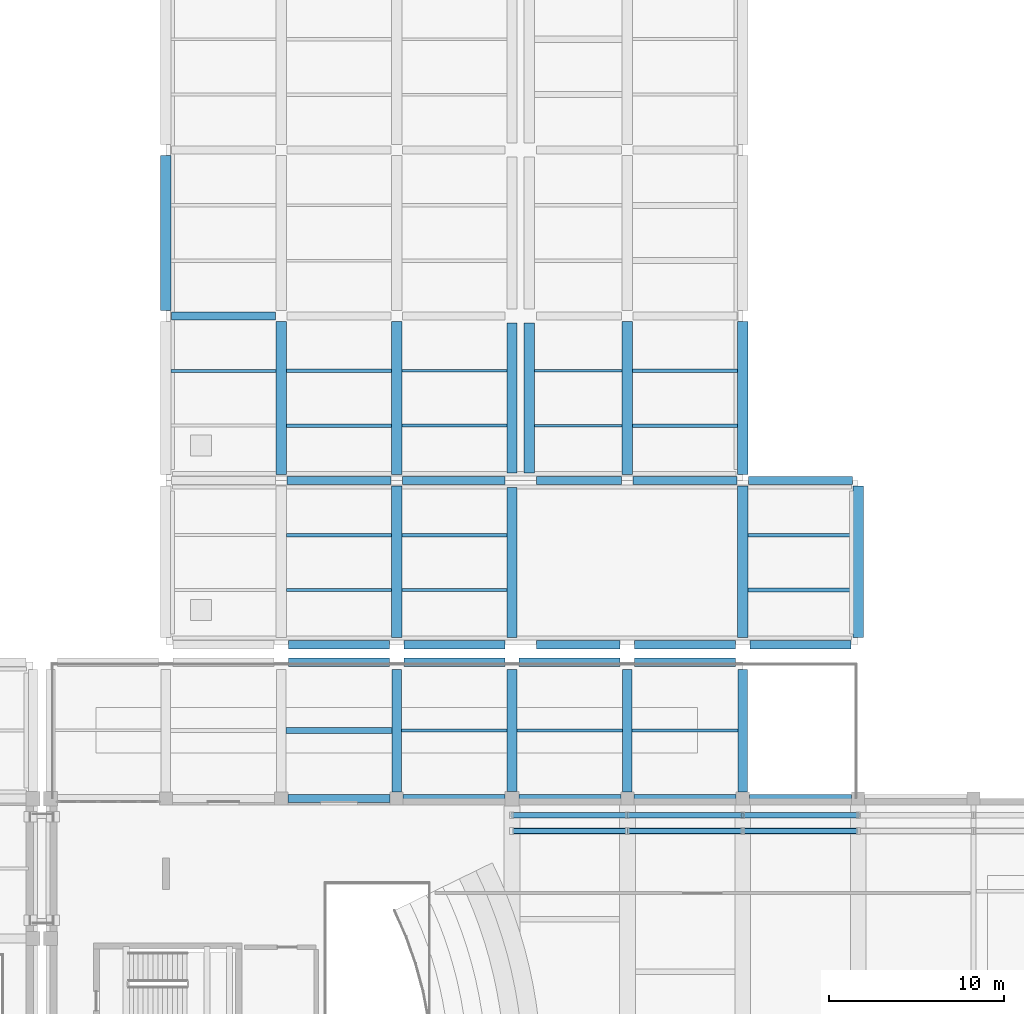
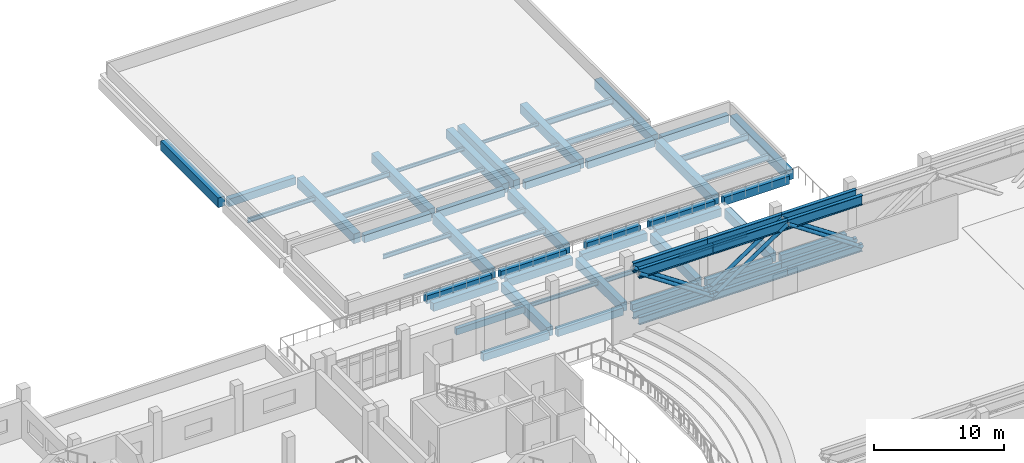
# One storey, part 21 of 54: 54 beams, 18 members.
"""IFC4 building model written with IfcOpenShell, lengths in metres."""

from ifc_helpers import new_model, si_unit, direction, frame, origin, origin_2d, place, context, subcontext, project, spatial, rectangle, hollow_circle, i_section, extrude, material, material_profile, profile_set, type_object, element, save


model = new_model("IFC4")

# Units and contexts
model_context = context("Model", 3, precision=1e-05, world=origin(), true_north=direction((0.0, 1.0)))
body_context = subcontext(model_context, "Body", "Model", "MODEL_VIEW")
ifc_project = project(units=[si_unit("LENGTHUNIT", "METRE"), si_unit("AREAUNIT", "SQUARE_METRE"), si_unit("VOLUMEUNIT", "CUBIC_METRE"), si_unit("PLANEANGLEUNIT", "RADIAN"), si_unit("MASSUNIT", "GRAM", prefix="KILO")], contexts=[model_context])

# Site, building, storey
site_placement = place(None, origin())
site = spatial("IfcSite", under=ifc_project, at=site_placement, CompositionType="ELEMENT")
building_placement = place(site_placement, origin())
building = spatial("IfcBuilding", under=site, at=building_placement, Name="Kelarvand Opera House", CompositionType="ELEMENT")
storey_placement = place(building_placement, frame((0.0, 0.0, 15.0)))
storey = spatial("IfcBuildingStorey", under=building, at=storey_placement, Name="L03", CompositionType="ELEMENT", Elevation=15.0)

# Beams
ifc_material_1 = material(Name="Concrete C35/45", Category="concrete")
ifc_material_profile_1 = material_profile(ifc_material_1, rectangle(XDim=0.35009765625, YDim=0.60009765625, at=origin_2d()), Name="RC 350x600", Category="concrete")
ifc_profile_set_1 = profile_set([ifc_material_profile_1], Name="Concrete C35/45")
beam_type_1 = type_object("IfcBeamType", Name="Structural Beam RC 350x600 BM-RC350x600", PredefinedType="BEAM", material=ifc_profile_set_1)
beam_1_placement = place(storey_placement, frame((102.47509765625, 82.300048828125, -0.6201171875), z_axis=(1.0, 0.0, 0.0), x_axis=(0.0, 1.0, 0.0)))
element("IfcBeam", 1, at=beam_1_placement, inside=storey, type_object=beam_type_1, Name="V1 L03 Beam BM-RC350x600", PredefinedType="BEAM", context=body_context, shape_type="SweptSolid", body=[
    extrude(rectangle(XDim=0.35009765625, YDim=0.60009765625, at=origin_2d()), origin(), (0.0, 0.0, 1.0), 6.0498046875),
])
ifc_material_2 = material(Name="Concrete C40/50", Category="concrete")
ifc_material_profile_2 = material_profile(ifc_material_2, rectangle(XDim=0.449951171875, YDim=0.699951171875, at=origin_2d()), Name="RC 450x700", Category="concrete")
ifc_profile_set_2 = profile_set([ifc_material_profile_2], Name="Concrete C40/50")
beam_type_2 = type_object("IfcBeamType", Name="Structural Beam RC 450x700 BM-RC450x700", PredefinedType="BEAM", material=ifc_profile_set_2)
beam_2_placement = place(storey_placement, frame((102.574951171875, 78.39990234375, -0.669921875), z_axis=(1.0, 0.0, 0.0), x_axis=(0.0, 1.0, 0.0)))
element("IfcBeam", 2, at=beam_2_placement, inside=storey, type_object=beam_type_2, Name="V1 L03 Beam BM-RC450x700", PredefinedType="BEAM", context=body_context, shape_type="SweptSolid", body=[
    extrude(rectangle(XDim=0.449951171875, YDim=0.699951171875, at=origin_2d()), origin(), (0.0, 0.0, 1.0), 5.85009765625),
])
for number, where, z_axis, x_axis, name in (
    (3, (109.175048828125, 78.39990234375, -0.669921875), (1.0, 0.0, 0.0), (0.0, 1.0, 0.0), "V1 L03 Beam BM-RC450x700"),
    (4, (115.81005859375, 78.39990234375, -0.669921875), (1.0, 0.0, 0.0), (0.0, 1.0, 0.0), "V1 L03 Beam BM-RC450x700"),
):
    element("IfcBeam", number, at=place(storey_placement, frame(where, z_axis=z_axis, x_axis=x_axis)), inside=storey, type_object=beam_type_2, Name=name, PredefinedType="BEAM", context=body_context, shape_type="SweptSolid", body=[
        extrude(rectangle(XDim=0.449951171875, YDim=0.699951171875, at=origin_2d()), origin(), (0.0, 0.0, 1.0), 5.81494140625),
    ])
beam_3_placement = place(storey_placement, frame((122.375, 78.39990234375, -0.669921875), z_axis=(1.0, 0.0, 0.0), x_axis=(0.0, 1.0, 0.0)))
element("IfcBeam", 5, at=beam_3_placement, inside=storey, type_object=beam_type_2, Name="V1 L03 Beam BM-RC450x700", PredefinedType="BEAM", context=body_context, shape_type="SweptSolid", body=[
    extrude(rectangle(XDim=0.449951171875, YDim=0.699951171875, at=origin_2d()), origin(), (0.0, 0.0, 1.0), 5.85009765625),
])
beam_4_placement = place(storey_placement, frame((128.97509765625, 78.39990234375, -0.669921875), z_axis=(1.0, 0.0, 0.0), x_axis=(0.0, 1.0, 0.0)))
element("IfcBeam", 6, at=beam_4_placement, inside=storey, type_object=beam_type_2, Name="V1 L03 Beam BM-RC450x700", PredefinedType="BEAM", context=body_context, shape_type="SweptSolid", body=[
    extrude(rectangle(XDim=0.449951171875, YDim=0.699951171875, at=origin_2d()), origin(), (0.0, 0.0, 1.0), 5.849853515625),
])
beam_5_placement = place(storey_placement, frame((102.52490234375, 96.60009765625, -0.570068359375), z_axis=(1.0, 0.0, 0.0), x_axis=(0.0, 1.0, 0.0)))
element("IfcBeam", 7, at=beam_5_placement, inside=storey, type_object=beam_type_2, Name="V5 L03 Beam BM-RC450x700", PredefinedType="BEAM", context=body_context, shape_type="SweptSolid", body=[
    extrude(rectangle(XDim=0.449951171875, YDim=0.699951171875, at=origin_2d()), origin(), (0.0, 0.0, 1.0), 5.9501953125),
])
beam_6_placement = place(storey_placement, frame((109.125, 96.60009765625, -0.570068359375), z_axis=(1.0, 0.0, 0.0), x_axis=(0.0, 1.0, 0.0)))
element("IfcBeam", 8, at=beam_6_placement, inside=storey, type_object=beam_type_2, Name="V5 L03 Beam BM-RC450x700", PredefinedType="BEAM", context=body_context, shape_type="SweptSolid", body=[
    extrude(rectangle(XDim=0.449951171875, YDim=0.699951171875, at=origin_2d()), origin(), (0.0, 0.0, 1.0), 5.864990234375),
])
beam_7_placement = place(storey_placement, frame((116.81005859375, 96.60009765625, -0.570068359375), z_axis=(1.0, 0.0, 0.0), x_axis=(0.0, 1.0, 0.0)))
element("IfcBeam", 9, at=beam_7_placement, inside=storey, type_object=beam_type_2, Name="V5 L03 Beam BM-RC450x700", PredefinedType="BEAM", context=body_context, shape_type="SweptSolid", body=[
    extrude(rectangle(XDim=0.449951171875, YDim=0.699951171875, at=origin_2d()), origin(), (0.0, 0.0, 1.0), 4.864990234375),
])
for number, where, z_axis, x_axis, name in (
    (10, (122.324951171875, 96.60009765625, -0.570068359375), (1.0, 0.0, 0.0), (0.0, 1.0, 0.0), "V5 L03 Beam BM-RC450x700"),
    (11, (128.925048828125, 96.60009765625, -0.570068359375), (1.0, 0.0, 0.0), (0.0, 1.0, 0.0), "V5 L03 Beam BM-RC450x700"),
    (12, (95.925048828125, 106.0, -0.570068359375), (1.0, 0.0, 0.0), (0.0, 1.0, 0.0), "V5 L03 Beam BM-RC450x700"),
):
    element("IfcBeam", number, at=place(storey_placement, frame(where, z_axis=z_axis, x_axis=x_axis)), inside=storey, type_object=beam_type_2, Name=name, PredefinedType="BEAM", context=body_context, shape_type="SweptSolid", body=[
        extrude(rectangle(XDim=0.449951171875, YDim=0.699951171875, at=origin_2d()), origin(), (0.0, 0.0, 1.0), 5.949951171875),
    ])
ifc_material_profile_3 = material_profile(ifc_material_2, rectangle(XDim=0.550048828125, YDim=0.85009765625, at=origin_2d()), Name="RC 550x850", Category="concrete")
ifc_profile_set_3 = profile_set([ifc_material_profile_3], Name="Concrete C40/50")
beam_type_3 = type_object("IfcBeamType", Name="Structural Beam RC 550x850 BM-RC550x850", PredefinedType="BEAM", material=ifc_profile_set_3)
beam_8_placement = place(storey_placement, frame((108.800048828125, 78.77490234375, -0.7451171875), z_axis=(0.0, 1.0, 0.0), x_axis=(-1.0, 0.0, 0.0)))
element("IfcBeam", 13, at=beam_8_placement, inside=storey, type_object=beam_type_3, Name="V1 L03 Beam BM-RC550x850", PredefinedType="BEAM", context=body_context, shape_type="SweptSolid", body=[
    extrude(rectangle(XDim=0.550048828125, YDim=0.85009765625, at=origin_2d()), origin(), (0.0, 0.0, 1.0), 7.01513671875),
])
beam_9_placement = place(storey_placement, frame((115.39990234375, 78.81005859375, -0.7451171875), z_axis=(0.0, 1.0, 0.0), x_axis=(-1.0, 0.0, 0.0)))
element("IfcBeam", 14, at=beam_9_placement, inside=storey, type_object=beam_type_3, Name="V1 L03 Beam BM-RC550x850", PredefinedType="BEAM", context=body_context, shape_type="SweptSolid", body=[
    extrude(rectangle(XDim=0.550048828125, YDim=0.85009765625, at=origin_2d()), origin(), (0.0, 0.0, 1.0), 6.97998046875),
])
for number, where, z_axis, x_axis, name in (
    (15, (122.0, 78.77490234375, -0.7451171875), (0.0, 1.0, 0.0), (-1.0, 0.0, 0.0), "V1 L03 Beam BM-RC550x850"),
    (16, (128.60009765625, 78.77490234375, -0.7451171875), (0.0, 1.0, 0.0), (-1.0, 0.0, 0.0), "V1 L03 Beam BM-RC550x850"),
):
    element("IfcBeam", number, at=place(storey_placement, frame(where, z_axis=z_axis, x_axis=x_axis)), inside=storey, type_object=beam_type_3, Name=name, PredefinedType="BEAM", context=body_context, shape_type="SweptSolid", body=[
        extrude(rectangle(XDim=0.550048828125, YDim=0.85009765625, at=origin_2d()), origin(), (0.0, 0.0, 1.0), 7.01513671875),
    ])
ifc_material_profile_4 = material_profile(ifc_material_2, rectangle(XDim=0.60009765625, YDim=0.89990234375, at=origin_2d()), Name="RC 600x900", Category="concrete")
ifc_profile_set_4 = profile_set([ifc_material_profile_4], Name="Concrete C40/50")
beam_type_4 = type_object("IfcBeamType", Name="Structural Beam RC 600x900 BM-RC600x900", PredefinedType="BEAM", material=ifc_profile_set_4)
beam_10_placement = place(storey_placement, frame((102.199951171875, 96.925048828125, -0.669921875), z_axis=(0.0, 1.0, 0.0), x_axis=(-1.0, 0.0, 0.0)))
element("IfcBeam", 17, at=beam_10_placement, inside=storey, type_object=beam_type_4, Name="V5 L03 Beam BM-RC600x900", PredefinedType="BEAM", context=body_context, shape_type="SweptSolid", body=[
    extrude(rectangle(XDim=0.60009765625, YDim=0.89990234375, at=origin_2d()), origin(), (0.0, 0.0, 1.0), 8.75),
])
beam_11_placement = place(storey_placement, frame((108.800048828125, 87.610107421875, -0.669921875), z_axis=(0.0, 1.0, 0.0), x_axis=(-1.0, 0.0, 0.0)))
element("IfcBeam", 18, at=beam_11_placement, inside=storey, type_object=beam_type_4, Name="V5 L03 Beam BM-RC600x900", PredefinedType="BEAM", context=body_context, shape_type="SweptSolid", body=[
    extrude(rectangle(XDim=0.60009765625, YDim=0.89990234375, at=origin_2d()), origin(), (0.0, 0.0, 1.0), 8.664794921875),
])
beam_12_placement = place(storey_placement, frame((108.800048828125, 96.925048828125, -0.669921875), z_axis=(0.0, 1.0, 0.0), x_axis=(-1.0, 0.0, 0.0)))
element("IfcBeam", 19, at=beam_12_placement, inside=storey, type_object=beam_type_4, Name="V5 L03 Beam BM-RC600x900", PredefinedType="BEAM", context=body_context, shape_type="SweptSolid", body=[
    extrude(rectangle(XDim=0.60009765625, YDim=0.89990234375, at=origin_2d()), origin(), (0.0, 0.0, 1.0), 8.75),
])
beam_13_placement = place(storey_placement, frame((115.39990234375, 87.610107421875, -0.669921875), z_axis=(0.0, 1.0, 0.0), x_axis=(-1.0, 0.0, 0.0)))
element("IfcBeam", 20, at=beam_13_placement, inside=storey, type_object=beam_type_4, Name="V5 L03 Beam BM-RC600x900", PredefinedType="BEAM", context=body_context, shape_type="SweptSolid", body=[
    extrude(rectangle(XDim=0.60009765625, YDim=0.89990234375, at=origin_2d()), origin(), (0.0, 0.0, 1.0), 8.579833984375),
])
for number, where, z_axis, x_axis, name in (
    (21, (115.39990234375, 97.010009765625, -0.669921875), (0.0, 1.0, 0.0), (-1.0, 0.0, 0.0), "V5 L03 Beam BM-RC600x900"),
    (22, (116.39990234375, 97.010009765625, -0.669921875), (0.0, 1.0, 0.0), (-1.0, 0.0, 0.0), "V5 L03 Beam BM-RC600x900"),
):
    element("IfcBeam", number, at=place(storey_placement, frame(where, z_axis=z_axis, x_axis=x_axis)), inside=storey, type_object=beam_type_4, Name=name, PredefinedType="BEAM", context=body_context, shape_type="SweptSolid", body=[
        extrude(rectangle(XDim=0.60009765625, YDim=0.89990234375, at=origin_2d()), origin(), (0.0, 0.0, 1.0), 8.580078125),
    ])
beam_14_placement = place(storey_placement, frame((122.0, 96.925048828125, -0.669921875), z_axis=(0.0, 1.0, 0.0), x_axis=(-1.0, 0.0, 0.0)))
element("IfcBeam", 23, at=beam_14_placement, inside=storey, type_object=beam_type_4, Name="V5 L03 Beam BM-RC600x900", PredefinedType="BEAM", context=body_context, shape_type="SweptSolid", body=[
    extrude(rectangle(XDim=0.60009765625, YDim=0.89990234375, at=origin_2d()), origin(), (0.0, 0.0, 1.0), 8.75),
])
beam_15_placement = place(storey_placement, frame((128.60009765625, 87.610107421875, -0.669921875), z_axis=(0.0, 1.0, 0.0), x_axis=(-1.0, 0.0, 0.0)))
element("IfcBeam", 24, at=beam_15_placement, inside=storey, type_object=beam_type_4, Name="V5 L03 Beam BM-RC600x900", PredefinedType="BEAM", context=body_context, shape_type="SweptSolid", body=[
    extrude(rectangle(XDim=0.60009765625, YDim=0.89990234375, at=origin_2d()), origin(), (0.0, 0.0, 1.0), 8.664794921875),
])
beam_16_placement = place(storey_placement, frame((128.60009765625, 96.925048828125, -0.669921875), z_axis=(0.0, 1.0, 0.0), x_axis=(-1.0, 0.0, 0.0)))
element("IfcBeam", 25, at=beam_16_placement, inside=storey, type_object=beam_type_4, Name="V5 L03 Beam BM-RC600x900", PredefinedType="BEAM", context=body_context, shape_type="SweptSolid", body=[
    extrude(rectangle(XDim=0.60009765625, YDim=0.89990234375, at=origin_2d()), origin(), (0.0, 0.0, 1.0), 8.75),
])

# Members
ifc_material_3 = material(Name="Steel S355", Category="steel")
ifc_material_profile_5 = material_profile(ifc_material_3, hollow_circle(Radius=0.161865234375, WallThickness=0.01611328125, at=origin_2d()), Name="CHS 323.9x16.0", Category="steel")
ifc_profile_set_5 = profile_set([ifc_material_profile_5], Name="Steel S355")
member_type_1 = type_object("IfcMemberType", Name="Structural Brace CHS 323.9x16.0 BR-CHS324", PredefinedType="BRACE", material=ifc_profile_set_5)
for number, where, z_axis, x_axis, name in (
    (26, (115.39990234375, 76.550048828125, 3.77001953125), (0.829729346585, 0.0, -0.558165935377), (0.0, 1.0, 0.0), "Cantilever Truss CT3 Upper Diagonal 1"),
    (27, (122.0, 76.550048828125, -0.669921875), (0.829729346585, 0.0, 0.558165935377), (0.0, 1.0, 0.0), "Cantilever Truss CT3 Upper Diagonal 2"),
):
    element("IfcMember", number, at=place(storey_placement, frame(where, z_axis=z_axis, x_axis=x_axis)), inside=storey, type_object=member_type_1, Name=name, PredefinedType="BRACE", context=body_context, shape_type="SweptSolid", body=[
        extrude(hollow_circle(Radius=0.161865234375, WallThickness=0.01611328125, at=origin_2d()), origin(), (0.0, 0.0, 1.0), 7.95458984375),
    ])
member_1_placement = place(storey_placement, frame((128.60009765625, 76.550048828125, 3.77001953125), z_axis=(0.82971978413, 0.0, -0.558180149972), x_axis=(0.0, 1.0, 0.0)))
element("IfcMember", 28, at=member_1_placement, inside=storey, type_object=member_type_1, Name="Cantilever Truss CT3 Upper Diagonal 3", PredefinedType="BRACE", context=body_context, shape_type="SweptSolid", body=[
    extrude(hollow_circle(Radius=0.161865234375, WallThickness=0.01611328125, at=origin_2d()), origin(), (0.0, 0.0, 1.0), 7.954345703125),
])
for number, where, z_axis, x_axis, name in (
    (29, (115.39990234375, 77.449951171875, 3.77001953125), (0.829729346585, 0.0, -0.558165935377), (0.0, 1.0, 0.0), "Cantilever Truss CT4 Upper Diagonal 1"),
    (30, (122.0, 77.449951171875, -0.669921875), (0.829729346585, 0.0, 0.558165935377), (0.0, 1.0, 0.0), "Cantilever Truss CT4 Upper Diagonal 2"),
):
    element("IfcMember", number, at=place(storey_placement, frame(where, z_axis=z_axis, x_axis=x_axis)), inside=storey, type_object=member_type_1, Name=name, PredefinedType="BRACE", context=body_context, shape_type="SweptSolid", body=[
        extrude(hollow_circle(Radius=0.161865234375, WallThickness=0.01611328125, at=origin_2d()), origin(), (0.0, 0.0, 1.0), 7.95458984375),
    ])
member_2_placement = place(storey_placement, frame((128.60009765625, 77.449951171875, 3.77001953125), z_axis=(0.82971978413, 0.0, -0.558180149972), x_axis=(0.0, 1.0, 0.0)))
element("IfcMember", 31, at=member_2_placement, inside=storey, type_object=member_type_1, Name="Cantilever Truss CT4 Upper Diagonal 3", PredefinedType="BRACE", context=body_context, shape_type="SweptSolid", body=[
    extrude(hollow_circle(Radius=0.161865234375, WallThickness=0.01611328125, at=origin_2d()), origin(), (0.0, 0.0, 1.0), 7.954345703125),
])
ifc_material_profile_6 = material_profile(ifc_material_3, i_section(OverallWidth=0.300048828125, OverallDepth=0.699951171875, WebThickness=0.01708984375, FlangeThickness=0.031982421875, at=origin_2d()), Name="HEB 700", Category="steel")
ifc_profile_set_6 = profile_set([ifc_material_profile_6], Name="Steel S355")
member_type_2 = type_object("IfcMemberType", Name="Structural Chord HEB 700 CH-HEB700", PredefinedType="CHORD", material=ifc_profile_set_6)
for number, where, z_axis, x_axis, name in (
    (32, (115.39990234375, 76.550048828125, -0.669921875), (1.0, 0.0, 0.0), (0.0, 1.0, 0.0), "Cantilever Truss CT3 Tie Chord 1"),
    (33, (122.0, 76.550048828125, -0.669921875), (1.0, 0.0, 0.0), (0.0, 1.0, 0.0), "Cantilever Truss CT3 Tie Chord 2"),
):
    element("IfcMember", number, at=place(storey_placement, frame(where, z_axis=z_axis, x_axis=x_axis)), inside=storey, type_object=member_type_2, Name=name, PredefinedType="CHORD", context=body_context, shape_type="SweptSolid", body=[
        extrude(i_section(OverallWidth=0.300048828125, OverallDepth=0.699951171875, WebThickness=0.01708984375, FlangeThickness=0.031982421875, at=origin_2d()), origin(), (0.0, 0.0, 1.0), 6.60009765625),
    ])
member_3_placement = place(storey_placement, frame((128.60009765625, 76.550048828125, -0.669921875), z_axis=(1.0, 0.0, 0.0), x_axis=(0.0, 1.0, 0.0)))
element("IfcMember", 34, at=member_3_placement, inside=storey, type_object=member_type_2, Name="Cantilever Truss CT3 Tie Chord 3", PredefinedType="CHORD", context=body_context, shape_type="SweptSolid", body=[
    extrude(i_section(OverallWidth=0.300048828125, OverallDepth=0.699951171875, WebThickness=0.01708984375, FlangeThickness=0.031982421875, at=origin_2d()), origin(), (0.0, 0.0, 1.0), 6.599853515625),
])
for number, where, z_axis, x_axis, name in (
    (35, (115.39990234375, 77.449951171875, -0.669921875), (1.0, 0.0, 0.0), (0.0, 1.0, 0.0), "Cantilever Truss CT4 Tie Chord 1"),
    (36, (122.0, 77.449951171875, -0.669921875), (1.0, 0.0, 0.0), (0.0, 1.0, 0.0), "Cantilever Truss CT4 Tie Chord 2"),
):
    element("IfcMember", number, at=place(storey_placement, frame(where, z_axis=z_axis, x_axis=x_axis)), inside=storey, type_object=member_type_2, Name=name, PredefinedType="CHORD", context=body_context, shape_type="SweptSolid", body=[
        extrude(i_section(OverallWidth=0.300048828125, OverallDepth=0.699951171875, WebThickness=0.01708984375, FlangeThickness=0.031982421875, at=origin_2d()), origin(), (0.0, 0.0, 1.0), 6.60009765625),
    ])
member_4_placement = place(storey_placement, frame((128.60009765625, 77.449951171875, -0.669921875), z_axis=(1.0, 0.0, 0.0), x_axis=(0.0, 1.0, 0.0)))
element("IfcMember", 37, at=member_4_placement, inside=storey, type_object=member_type_2, Name="Cantilever Truss CT4 Tie Chord 3", PredefinedType="CHORD", context=body_context, shape_type="SweptSolid", body=[
    extrude(i_section(OverallWidth=0.300048828125, OverallDepth=0.699951171875, WebThickness=0.01708984375, FlangeThickness=0.031982421875, at=origin_2d()), origin(), (0.0, 0.0, 1.0), 6.599853515625),
])
ifc_material_profile_7 = material_profile(ifc_material_3, i_section(OverallWidth=0.300048828125, OverallDepth=0.89990234375, WebThickness=0.0185546875, FlangeThickness=0.034912109375, at=origin_2d()), Name="HEB 900", Category="steel")
ifc_profile_set_7 = profile_set([ifc_material_profile_7], Name="Steel S355")
member_type_3 = type_object("IfcMemberType", Name="Structural Chord HEB 900 CH-HEB900", PredefinedType="CHORD", material=ifc_profile_set_7)
for number, where, z_axis, x_axis, name in (
    (38, (115.39990234375, 76.550048828125, 3.77001953125), (1.0, 0.0, 0.0), (0.0, 1.0, 0.0), "Cantilever Truss CT3 Top Chord 1"),
    (39, (122.0, 76.550048828125, 3.77001953125), (1.0, 0.0, 0.0), (0.0, 1.0, 0.0), "Cantilever Truss CT3 Top Chord 2"),
):
    element("IfcMember", number, at=place(storey_placement, frame(where, z_axis=z_axis, x_axis=x_axis)), inside=storey, type_object=member_type_3, Name=name, PredefinedType="CHORD", context=body_context, shape_type="SweptSolid", body=[
        extrude(i_section(OverallWidth=0.300048828125, OverallDepth=0.89990234375, WebThickness=0.0185546875, FlangeThickness=0.034912109375, at=origin_2d()), origin(), (0.0, 0.0, 1.0), 6.60009765625),
    ])
member_5_placement = place(storey_placement, frame((128.60009765625, 76.550048828125, 3.77001953125), z_axis=(1.0, 0.0, 0.0), x_axis=(0.0, 1.0, 0.0)))
element("IfcMember", 40, at=member_5_placement, inside=storey, type_object=member_type_3, Name="Cantilever Truss CT3 Top Chord 3", PredefinedType="CHORD", context=body_context, shape_type="SweptSolid", body=[
    extrude(i_section(OverallWidth=0.300048828125, OverallDepth=0.89990234375, WebThickness=0.0185546875, FlangeThickness=0.034912109375, at=origin_2d()), origin(), (0.0, 0.0, 1.0), 6.599853515625),
])
for number, where, z_axis, x_axis, name in (
    (41, (115.39990234375, 77.449951171875, 3.77001953125), (1.0, 0.0, 0.0), (0.0, 1.0, 0.0), "Cantilever Truss CT4 Top Chord 1"),
    (42, (122.0, 77.449951171875, 3.77001953125), (1.0, 0.0, 0.0), (0.0, 1.0, 0.0), "Cantilever Truss CT4 Top Chord 2"),
):
    element("IfcMember", number, at=place(storey_placement, frame(where, z_axis=z_axis, x_axis=x_axis)), inside=storey, type_object=member_type_3, Name=name, PredefinedType="CHORD", context=body_context, shape_type="SweptSolid", body=[
        extrude(i_section(OverallWidth=0.300048828125, OverallDepth=0.89990234375, WebThickness=0.0185546875, FlangeThickness=0.034912109375, at=origin_2d()), origin(), (0.0, 0.0, 1.0), 6.60009765625),
    ])
member_6_placement = place(storey_placement, frame((128.60009765625, 77.449951171875, 3.77001953125), z_axis=(1.0, 0.0, 0.0), x_axis=(0.0, 1.0, 0.0)))
element("IfcMember", 43, at=member_6_placement, inside=storey, type_object=member_type_3, Name="Cantilever Truss CT4 Top Chord 3", PredefinedType="CHORD", context=body_context, shape_type="SweptSolid", body=[
    extrude(i_section(OverallWidth=0.300048828125, OverallDepth=0.89990234375, WebThickness=0.0185546875, FlangeThickness=0.034912109375, at=origin_2d()), origin(), (0.0, 0.0, 1.0), 6.599853515625),
])

# Beams
ifc_material_profile_8 = material_profile(ifc_material_3, i_section(OverallWidth=0.14990234375, OverallDepth=0.300048828125, WebThickness=0.007080078125, FlangeThickness=0.0107421875, at=origin_2d()), Name="IPE 300", Category="steel")
ifc_profile_set_8 = profile_set([ifc_material_profile_8], Name="Steel S355")
beam_type_5 = type_object("IfcBeamType", Name="Structural Joist IPE 300 JS-IPE300", PredefinedType="JOIST", material=ifc_profile_set_8)
for number, where, z_axis, x_axis, name in (
    (44, (116.699951171875, 99.7333984375, -0.3701171875), (1.0, 0.0, 0.0), (0.0, 1.0, 0.0), "V5 L03 Beam JS-IPE300"),
    (45, (116.699951171875, 102.86669921875, -0.3701171875), (1.0, 0.0, 0.0), (0.0, 1.0, 0.0), "V5 L03 Beam JS-IPE300"),
):
    element("IfcBeam", number, at=place(storey_placement, frame(where, z_axis=z_axis, x_axis=x_axis)), inside=storey, type_object=beam_type_5, Name=name, PredefinedType="JOIST", context=body_context, shape_type="SweptSolid", body=[
        extrude(i_section(OverallWidth=0.14990234375, OverallDepth=0.300048828125, WebThickness=0.007080078125, FlangeThickness=0.0107421875, at=origin_2d()), origin(), (0.0, 0.0, 1.0), 5.0),
    ])
ifc_material_profile_9 = material_profile(ifc_material_3, i_section(OverallWidth=0.159912109375, OverallDepth=0.330078125, WebThickness=0.007568359375, FlangeThickness=0.011474609375, at=origin_2d()), Name="IPE 330", Category="steel")
ifc_profile_set_9 = profile_set([ifc_material_profile_9], Name="Steel S355")
beam_type_6 = type_object("IfcBeamType", Name="Structural Joist IPE 330 JS-IPE330", PredefinedType="JOIST", material=ifc_profile_set_9)
for number, where, z_axis, x_axis, name in (
    (46, (109.10009765625, 99.7333984375, -0.385009765625), (1.0, 0.0, 0.0), (0.0, 1.0, 0.0), "V5 L03 Beam JS-IPE330"),
    (47, (109.10009765625, 102.86669921875, -0.385009765625), (1.0, 0.0, 0.0), (0.0, 1.0, 0.0), "V5 L03 Beam JS-IPE330"),
):
    element("IfcBeam", number, at=place(storey_placement, frame(where, z_axis=z_axis, x_axis=x_axis)), inside=storey, type_object=beam_type_6, Name=name, PredefinedType="JOIST", context=body_context, shape_type="SweptSolid", body=[
        extrude(i_section(OverallWidth=0.159912109375, OverallDepth=0.330078125, WebThickness=0.007568359375, FlangeThickness=0.011474609375, at=origin_2d()), origin(), (0.0, 0.0, 1.0), 6.0),
    ])
ifc_material_profile_10 = material_profile(ifc_material_3, i_section(OverallWidth=0.169921875, OverallDepth=0.360107421875, WebThickness=0.008056640625, FlangeThickness=0.0126953125, at=origin_2d()), Name="IPE 360", Category="steel")
ifc_profile_set_10 = profile_set([ifc_material_profile_10], Name="Steel S355")
beam_type_7 = type_object("IfcBeamType", Name="Structural Joist IPE 360 JS-IPE360", PredefinedType="JOIST", material=ifc_profile_set_10)
beam_17_placement = place(storey_placement, frame((109.074951171875, 82.300048828125, -0.5), z_axis=(1.0, 0.0, 0.0), x_axis=(0.0, 1.0, 0.0)))
element("IfcBeam", 48, at=beam_17_placement, inside=storey, type_object=beam_type_7, Name="V1 L03 Beam JS-IPE360", PredefinedType="JOIST", context=body_context, shape_type="SweptSolid", body=[
    extrude(i_section(OverallWidth=0.169921875, OverallDepth=0.360107421875, WebThickness=0.008056640625, FlangeThickness=0.0126953125, at=origin_2d()), origin(), (0.0, 0.0, 1.0), 6.050048828125),
])
ifc_material_profile_11 = material_profile(ifc_material_3, i_section(OverallWidth=0.179931640625, OverallDepth=0.39990234375, WebThickness=0.008544921875, FlangeThickness=0.013427734375, at=origin_2d()), Name="IPE 400", Category="steel")
ifc_profile_set_11 = profile_set([ifc_material_profile_11], Name="Steel S355")
beam_type_8 = type_object("IfcBeamType", Name="Structural Joist IPE 400 JS-IPE400", PredefinedType="JOIST", material=ifc_profile_set_11)
beam_18_placement = place(storey_placement, frame((115.675048828125, 82.300048828125, -0.52001953125), z_axis=(1.0, 0.0, 0.0), x_axis=(0.0, 1.0, 0.0)))
element("IfcBeam", 49, at=beam_18_placement, inside=storey, type_object=beam_type_8, Name="V1 L03 Beam JS-IPE400", PredefinedType="JOIST", context=body_context, shape_type="SweptSolid", body=[
    extrude(i_section(OverallWidth=0.179931640625, OverallDepth=0.39990234375, WebThickness=0.008544921875, FlangeThickness=0.013427734375, at=origin_2d()), origin(), (0.0, 0.0, 1.0), 6.050048828125),
])
for number, where, z_axis, x_axis, name in (
    (50, (95.89990234375, 102.86669921875, -0.419921875), (1.0, 0.0, 0.0), (0.0, 1.0, 0.0), "V5 L03 Beam JS-IPE400"),
    (51, (102.5, 90.333251953125, -0.419921875), (1.0, 0.0, 0.0), (0.0, 1.0, 0.0), "V5 L03 Beam JS-IPE400"),
    (52, (102.5, 93.466796875, -0.419921875), (1.0, 0.0, 0.0), (0.0, 1.0, 0.0), "V5 L03 Beam JS-IPE400"),
):
    element("IfcBeam", number, at=place(storey_placement, frame(where, z_axis=z_axis, x_axis=x_axis)), inside=storey, type_object=beam_type_8, Name=name, PredefinedType="JOIST", context=body_context, shape_type="SweptSolid", body=[
        extrude(i_section(OverallWidth=0.179931640625, OverallDepth=0.39990234375, WebThickness=0.008544921875, FlangeThickness=0.013427734375, at=origin_2d()), origin(), (0.0, 0.0, 1.0), 6.0),
    ])
ifc_material_profile_12 = material_profile(ifc_material_3, i_section(OverallWidth=0.18994140625, OverallDepth=0.449951171875, WebThickness=0.009521484375, FlangeThickness=0.0146484375, at=origin_2d()), Name="IPE 450", Category="steel")
ifc_profile_set_12 = profile_set([ifc_material_profile_12], Name="Steel S355")
beam_type_9 = type_object("IfcBeamType", Name="Structural Joist IPE 450 JS-IPE450", PredefinedType="JOIST", material=ifc_profile_set_12)
beam_19_placement = place(storey_placement, frame((122.27490234375, 82.300048828125, -0.544921875), z_axis=(1.0, 0.0, 0.0), x_axis=(0.0, 1.0, 0.0)))
element("IfcBeam", 53, at=beam_19_placement, inside=storey, type_object=beam_type_9, Name="V1 L03 Beam JS-IPE450", PredefinedType="JOIST", context=body_context, shape_type="SweptSolid", body=[
    extrude(i_section(OverallWidth=0.18994140625, OverallDepth=0.449951171875, WebThickness=0.009521484375, FlangeThickness=0.0146484375, at=origin_2d()), origin(), (0.0, 0.0, 1.0), 6.050048828125),
])
for number, where, z_axis, x_axis, name in (
    (54, (102.5, 99.7333984375, -0.445068359375), (1.0, 0.0, 0.0), (0.0, 1.0, 0.0), "V5 L03 Beam JS-IPE450"),
    (55, (102.5, 102.86669921875, -0.445068359375), (1.0, 0.0, 0.0), (0.0, 1.0, 0.0), "V5 L03 Beam JS-IPE450"),
    (56, (109.10009765625, 90.333251953125, -0.445068359375), (1.0, 0.0, 0.0), (0.0, 1.0, 0.0), "V5 L03 Beam JS-IPE450"),
    (57, (109.10009765625, 93.466796875, -0.445068359375), (1.0, 0.0, 0.0), (0.0, 1.0, 0.0), "V5 L03 Beam JS-IPE450"),
):
    element("IfcBeam", number, at=place(storey_placement, frame(where, z_axis=z_axis, x_axis=x_axis)), inside=storey, type_object=beam_type_9, Name=name, PredefinedType="JOIST", context=body_context, shape_type="SweptSolid", body=[
        extrude(i_section(OverallWidth=0.18994140625, OverallDepth=0.449951171875, WebThickness=0.009521484375, FlangeThickness=0.0146484375, at=origin_2d()), origin(), (0.0, 0.0, 1.0), 6.0),
    ])
ifc_material_profile_13 = material_profile(ifc_material_3, i_section(OverallWidth=0.2099609375, OverallDepth=0.550048828125, WebThickness=0.010986328125, FlangeThickness=0.01708984375, at=origin_2d()), Name="IPE 550", Category="steel")
ifc_profile_set_13 = profile_set([ifc_material_profile_13], Name="Steel S355")
beam_type_10 = type_object("IfcBeamType", Name="Structural Joist IPE 550 JS-IPE550", PredefinedType="JOIST", material=ifc_profile_set_13)
for number, where, z_axis, x_axis, name in (
    (58, (122.300048828125, 99.7333984375, -0.4951171875), (1.0, 0.0, 0.0), (0.0, 1.0, 0.0), "V5 L03 Beam JS-IPE550"),
    (59, (122.300048828125, 102.86669921875, -0.4951171875), (1.0, 0.0, 0.0), (0.0, 1.0, 0.0), "V5 L03 Beam JS-IPE550"),
    (60, (128.89990234375, 90.333251953125, -0.4951171875), (1.0, 0.0, 0.0), (0.0, 1.0, 0.0), "V5 L03 Beam JS-IPE550"),
    (61, (128.89990234375, 93.466796875, -0.4951171875), (1.0, 0.0, 0.0), (0.0, 1.0, 0.0), "V5 L03 Beam JS-IPE550"),
):
    element("IfcBeam", number, at=place(storey_placement, frame(where, z_axis=z_axis, x_axis=x_axis)), inside=storey, type_object=beam_type_10, Name=name, PredefinedType="JOIST", context=body_context, shape_type="SweptSolid", body=[
        extrude(i_section(OverallWidth=0.2099609375, OverallDepth=0.550048828125, WebThickness=0.010986328125, FlangeThickness=0.01708984375, at=origin_2d()), origin(), (0.0, 0.0, 1.0), 6.0),
    ])
ifc_material_profile_14 = material_profile(ifc_material_2, rectangle(XDim=0.5, YDim=0.75, at=origin_2d()), Name="RC 500x750", Category="concrete")
ifc_profile_set_14 = profile_set([ifc_material_profile_14], Name="Concrete C40/50")
beam_type_11 = type_object("IfcBeamType", Name="Structural Spandrel RC 500x750 SP-RC500x750E", PredefinedType="SPANDREL", material=ifc_profile_set_14)
beam_20_placement = place(storey_placement, frame((102.610107421875, 86.199951171875, -0.695068359375), z_axis=(1.0, 0.0, 0.0), x_axis=(0.0, 1.0, 0.0)))
element("IfcBeam", 62, at=beam_20_placement, inside=storey, type_object=beam_type_11, Name="V1 L03 Beam SP-RC500x750E", PredefinedType="SPANDREL", context=body_context, shape_type="SweptSolid", body=[
    extrude(rectangle(XDim=0.5, YDim=0.75, at=origin_2d()), origin(), (0.0, 0.0, 1.0), 5.77978515625),
])
for number, where, z_axis, x_axis, name in (
    (63, (109.2099609375, 86.199951171875, -0.695068359375), (1.0, 0.0, 0.0), (0.0, 1.0, 0.0), "V1 L03 Beam SP-RC500x750E"),
    (64, (115.81005859375, 86.199951171875, -0.695068359375), (1.0, 0.0, 0.0), (0.0, 1.0, 0.0), "V1 L03 Beam SP-RC500x750E"),
    (65, (122.409912109375, 86.199951171875, -0.695068359375), (1.0, 0.0, 0.0), (0.0, 1.0, 0.0), "V1 L03 Beam SP-RC500x750E"),
):
    element("IfcBeam", number, at=place(storey_placement, frame(where, z_axis=z_axis, x_axis=x_axis)), inside=storey, type_object=beam_type_11, Name=name, PredefinedType="SPANDREL", context=body_context, shape_type="SweptSolid", body=[
        extrude(rectangle(XDim=0.5, YDim=0.75, at=origin_2d()), origin(), (0.0, 0.0, 1.0), 5.780029296875),
    ])
beam_21_placement = place(storey_placement, frame((102.610107421875, 87.199951171875, -0.594970703125), z_axis=(1.0, 0.0, 0.0), x_axis=(0.0, 1.0, 0.0)))
element("IfcBeam", 66, at=beam_21_placement, inside=storey, type_object=beam_type_11, Name="V5 L03 Beam SP-RC500x750E", PredefinedType="SPANDREL", context=body_context, shape_type="SweptSolid", body=[
    extrude(rectangle(XDim=0.5, YDim=0.75, at=origin_2d()), origin(), (0.0, 0.0, 1.0), 5.77978515625),
])
beam_22_placement = place(storey_placement, frame((109.2099609375, 87.199951171875, -0.594970703125), z_axis=(1.0, 0.0, 0.0), x_axis=(0.0, 1.0, 0.0)))
element("IfcBeam", 67, at=beam_22_placement, inside=storey, type_object=beam_type_11, Name="V5 L03 Beam SP-RC500x750E", PredefinedType="SPANDREL", context=body_context, shape_type="SweptSolid", body=[
    extrude(rectangle(XDim=0.5, YDim=0.75, at=origin_2d()), origin(), (0.0, 0.0, 1.0), 5.780029296875),
])
beam_23_placement = place(storey_placement, frame((116.81005859375, 87.199951171875, -0.594970703125), z_axis=(1.0, 0.0, 0.0), x_axis=(0.0, 1.0, 0.0)))
element("IfcBeam", 68, at=beam_23_placement, inside=storey, type_object=beam_type_11, Name="V5 L03 Beam SP-RC500x750E", PredefinedType="SPANDREL", context=body_context, shape_type="SweptSolid", body=[
    extrude(rectangle(XDim=0.5, YDim=0.75, at=origin_2d()), origin(), (0.0, 0.0, 1.0), 4.780029296875),
])
for number, where, z_axis, x_axis, name in (
    (69, (122.409912109375, 87.199951171875, -0.594970703125), (1.0, 0.0, 0.0), (0.0, 1.0, 0.0), "V5 L03 Beam SP-RC500x750E"),
    (70, (129.010009765625, 87.199951171875, -0.594970703125), (1.0, 0.0, 0.0), (0.0, 1.0, 0.0), "V5 L03 Beam SP-RC500x750E"),
):
    element("IfcBeam", number, at=place(storey_placement, frame(where, z_axis=z_axis, x_axis=x_axis)), inside=storey, type_object=beam_type_11, Name=name, PredefinedType="SPANDREL", context=body_context, shape_type="SweptSolid", body=[
        extrude(rectangle(XDim=0.5, YDim=0.75, at=origin_2d()), origin(), (0.0, 0.0, 1.0), 5.780029296875),
    ])
ifc_material_profile_15 = material_profile(ifc_material_2, rectangle(XDim=0.60009765625, YDim=0.89990234375, at=origin_2d()), Name="RC 600x900", Category="concrete")
ifc_profile_set_15 = profile_set([ifc_material_profile_15], Name="Concrete C40/50")
beam_type_12 = type_object("IfcBeamType", Name="Structural Spandrel RC 600x900 SP-RC600x900E", PredefinedType="SPANDREL", material=ifc_profile_set_15)
beam_24_placement = place(storey_placement, frame((95.60009765625, 106.324951171875, -0.669921875), z_axis=(0.0, 1.0, 0.0), x_axis=(-1.0, 0.0, 0.0)))
element("IfcBeam", 71, at=beam_24_placement, inside=storey, type_object=beam_type_12, Name="V5 L03 Beam SP-RC600x900E", PredefinedType="SPANDREL", context=body_context, shape_type="SweptSolid", body=[
    extrude(rectangle(XDim=0.60009765625, YDim=0.89990234375, at=origin_2d()), origin(), (0.0, 0.0, 1.0), 8.85009765625),
])
beam_25_placement = place(storey_placement, frame((135.199951171875, 87.610107421875, -0.669921875), z_axis=(0.0, 1.0, 0.0), x_axis=(-1.0, 0.0, 0.0)))
element("IfcBeam", 72, at=beam_25_placement, inside=storey, type_object=beam_type_12, Name="V5 L03 Beam SP-RC600x900E", PredefinedType="SPANDREL", context=body_context, shape_type="SweptSolid", body=[
    extrude(rectangle(XDim=0.60009765625, YDim=0.89990234375, at=origin_2d()), origin(), (0.0, 0.0, 1.0), 8.664794921875),
])

save(model, "model.ifc")
